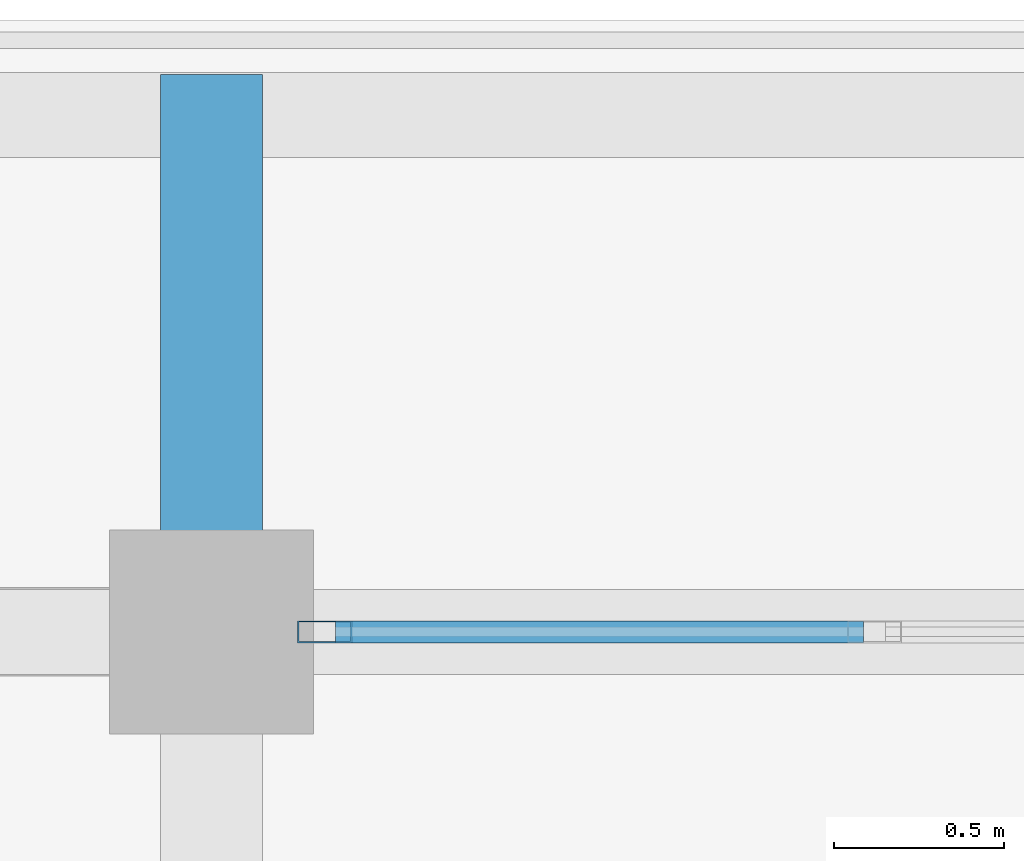
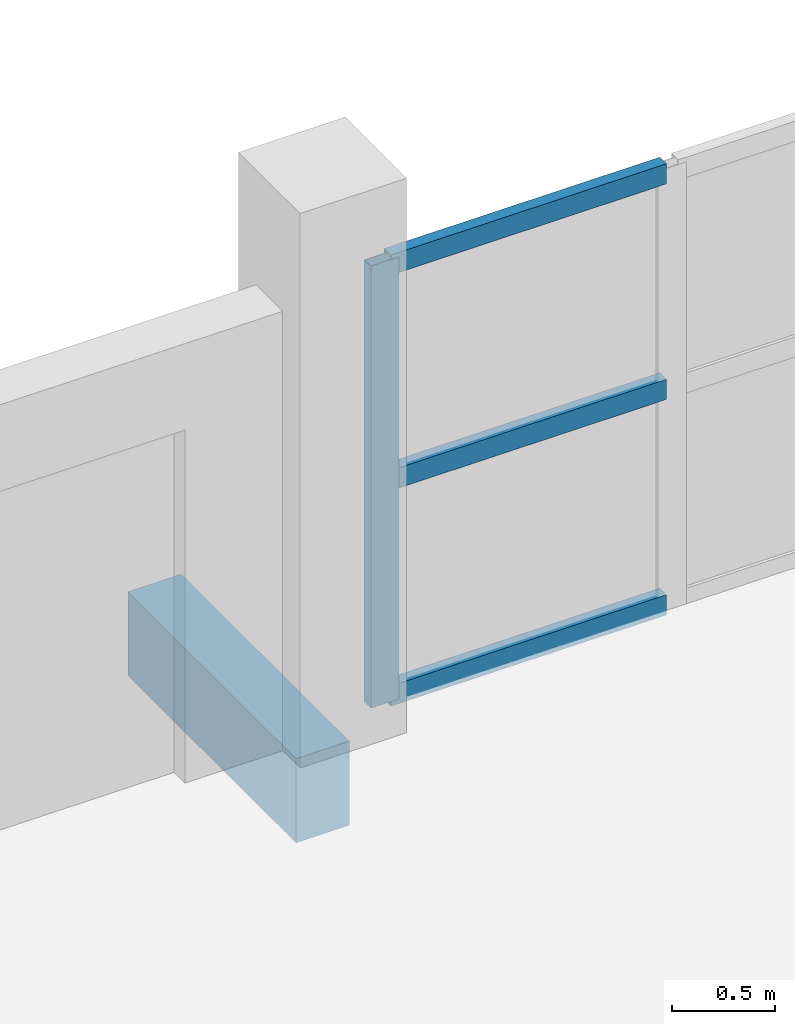
# One storey, part 6 of 60: 4 members, 1 beam, 1 element without a shape of its own.
"""IFC4 building model written with IfcOpenShell, lengths in metres."""

from ifc_helpers import new_model, si_unit, direction, frame, origin, origin_2d, place, context, subcontext, project, spatial, rectangle, hollow_rectangle, extrude, material, material_profile, profile_set, type_object, element, aggregate, save


model = new_model("IFC4")

# Units and contexts
model_context = context("Model", 3, precision=1e-05, world=origin(), true_north=direction((0.0, 1.0)))
body_context = subcontext(model_context, "Body", "Model", "MODEL_VIEW")
ifc_project = project(units=[si_unit("LENGTHUNIT", "METRE"), si_unit("AREAUNIT", "SQUARE_METRE"), si_unit("VOLUMEUNIT", "CUBIC_METRE"), si_unit("PLANEANGLEUNIT", "RADIAN"), si_unit("MASSUNIT", "GRAM", prefix="KILO")], contexts=[model_context])

# Site, building, storey
site_placement = place(None, origin())
site = spatial("IfcSite", under=ifc_project, at=site_placement, CompositionType="ELEMENT")
building_placement = place(site_placement, origin())
building = spatial("IfcBuilding", under=site, at=building_placement, Name="Suanplinth Sawtooth Commons", CompositionType="ELEMENT")
storey_placement = place(building_placement, frame((0.0, 0.0, 31.5)))
storey = spatial("IfcBuildingStorey", under=building, at=storey_placement, Name="L09", CompositionType="ELEMENT", Elevation=31.5)

# Beam
ifc_material_1 = material(Name="Precast concrete C40/50", Category="concrete")
ifc_material_profile_1 = material_profile(ifc_material_1, rectangle(XDim=0.300048828125, YDim=0.5, at=origin_2d()), Name="PC-BM 300x500")
ifc_profile_set_1 = profile_set([ifc_material_profile_1], Name="Precast concrete C40/50")
beam_type = type_object("IfcBeamType", Name="B-07", PredefinedType="BEAM", material=ifc_profile_set_1)
beam_placement = place(storey_placement, frame((28.800048828125, 122.39990234375, -0.429931640625), z_axis=(0.0, 1.0, 0.0), x_axis=(-1.0, 0.0, 0.0)))
element("IfcBeam", 1, at=beam_placement, inside=storey, type_object=beam_type, Name="Balcony Outrigger L09-A-N-4", PredefinedType="BEAM", context=body_context, shape_type="SweptSolid", body=[
    extrude(rectangle(XDim=0.300048828125, YDim=0.5, at=origin_2d()), origin(), (0.0, 0.0, 1.0), 1.64013671875),
])

# Curtain wall, members
ifc_material_2 = material(Name="Anodized aluminium and low-E glazing", Category="aluminium")
curtain_wall_type = type_object("IfcCurtainWallType", Name="CW-06", PredefinedType="USERDEFINED", material=ifc_material_2)
curtain_wall_placement = place(storey_placement, origin())
curtain_wall = element("IfcCurtainWall", 2, at=curtain_wall_placement, inside=storey, type_object=curtain_wall_type, Name="Curtain Wall CW-L09-A-LOUNGE-2", ObjectType="CURTAIN WALL", PredefinedType="USERDEFINED")
ifc_material_3 = material(Name="Anodized aluminium 6063-T6", Category="aluminium")
ifc_material_profile_2 = material_profile(ifc_material_3, hollow_rectangle(XDim=0.06494140625, YDim=0.159912109375, WallThickness=0.00390625, at=origin_2d()), Name="ALU-MUL 65x160")
ifc_profile_set_2 = profile_set([ifc_material_profile_2], Name="Anodized aluminium 6063-T6")
member_type_1 = type_object("IfcMemberType", Name="M-13", PredefinedType="MULLION", material=ifc_profile_set_2)
member_1_placement = place(storey_placement, frame((29.132568359375, 122.39990234375, 0.0), z_axis=(0.0, 0.0, 1.0), x_axis=(0.0, 1.0, 0.0)))
member_1 = element("IfcMember", 3, at=member_1_placement, type_object=member_type_1, Name="CW-06 mullion 1", PredefinedType="MULLION", context=body_context, shape_type="SweptSolid", body=[
    extrude(hollow_rectangle(XDim=0.06494140625, YDim=0.159912109375, WallThickness=0.00390625, at=origin_2d()), origin(), (0.0, 0.0, 1.0), 2.6298828125),
])
ifc_material_profile_3 = material_profile(ifc_material_3, hollow_rectangle(XDim=0.06494140625, YDim=0.1201171875, WallThickness=0.00390625, at=origin_2d()), Name="ALU-TRN 65x120")
ifc_profile_set_3 = profile_set([ifc_material_profile_3], Name="Anodized aluminium 6063-T6")
member_type_2 = type_object("IfcMemberType", Name="M-15", PredefinedType="USERDEFINED", material=ifc_profile_set_3)
member_2_placement = place(storey_placement, frame((29.1650390625, 122.39990234375, 0.032470703125), z_axis=(1.0, 0.0, 0.0), x_axis=(0.0, 1.0, 0.0)))
member_2 = element("IfcMember", 4, at=member_2_placement, type_object=member_type_2, Name="CW-06 transom 1.1", ObjectType="TRANSOM", PredefinedType="USERDEFINED", context=body_context, shape_type="SweptSolid", body=[
    extrude(hollow_rectangle(XDim=0.06494140625, YDim=0.1201171875, WallThickness=0.00390625, at=origin_2d()), origin(), (0.0, 0.0, 1.0), 1.552490234375),
])
member_3_placement = place(storey_placement, frame((29.1650390625, 122.39990234375, 1.31494140625), z_axis=(1.0, 0.0, 0.0), x_axis=(0.0, 1.0, 0.0)))
member_3 = element("IfcMember", 5, at=member_3_placement, type_object=member_type_2, Name="CW-06 transom 1.2", ObjectType="TRANSOM", PredefinedType="USERDEFINED", context=body_context, shape_type="SweptSolid", body=[
    extrude(hollow_rectangle(XDim=0.06494140625, YDim=0.1201171875, WallThickness=0.00390625, at=origin_2d()), origin(), (0.0, 0.0, 1.0), 1.552490234375),
])
member_4_placement = place(storey_placement, frame((29.1650390625, 122.39990234375, 2.597412109375), z_axis=(1.0, 0.0, 0.0), x_axis=(0.0, 1.0, 0.0)))
member_4 = element("IfcMember", 6, at=member_4_placement, type_object=member_type_2, Name="CW-06 transom 1.3", ObjectType="TRANSOM", PredefinedType="USERDEFINED", context=body_context, shape_type="SweptSolid", body=[
    extrude(hollow_rectangle(XDim=0.06494140625, YDim=0.1201171875, WallThickness=0.00390625, at=origin_2d()), origin(), (0.0, 0.0, 1.0), 1.552490234375),
])
aggregate(curtain_wall, [member_1, member_2, member_3, member_4])

save(model, "model.ifc")
